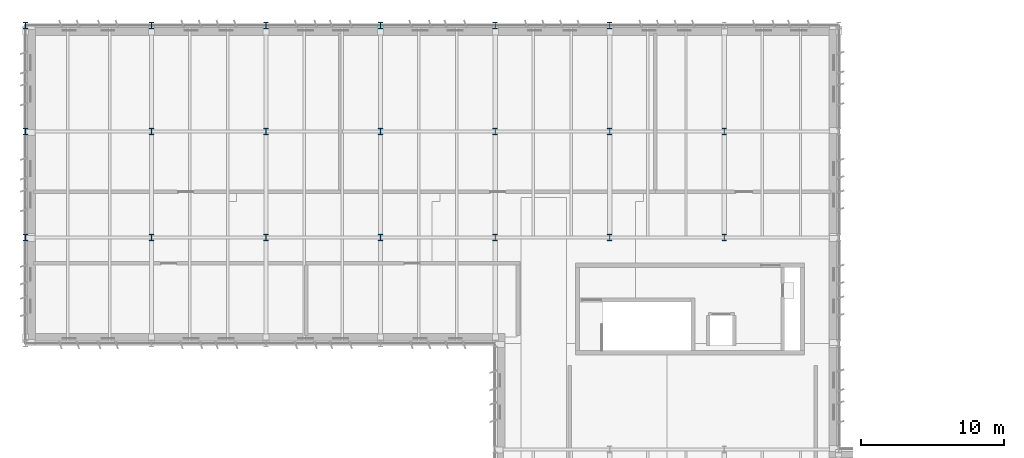
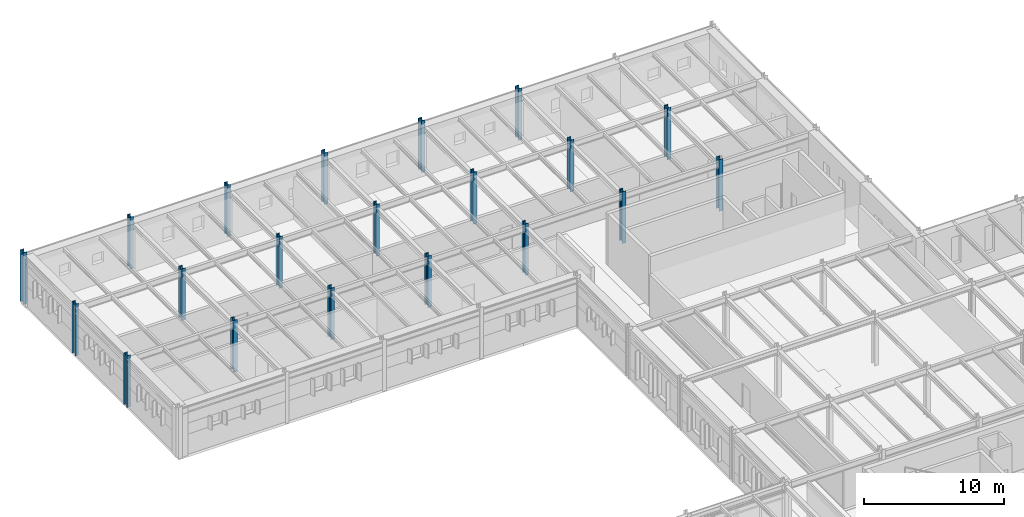
# One storey, part 9 of 75: 20 columns.
"""IFC4 building model written with IfcOpenShell, lengths in metres."""

import ifcopenshell
import ifcopenshell.guid

model = None  # the IFC model being written
_history = None  # IfcOwnerHistory: only IFC2X3 demands one
_inside = {}  # id of a spatial element -> (the spatial element, [elements in it])
_under = {}  # id of a project, library or spatial element -> (it, [spatial elements below it])
_declared = {}  # id of a project -> (the project, [libraries it declares])
_typed = {}  # id of a type object -> (the type object, [elements of that type])
_made_of = {}  # id of a material, layer set ... -> (it, [elements and type objects made of it])


def new_model(schema):
    """Start an empty IFC model of exactly this schema.

    Asked for "IFC4X3", IfcOpenShell would pick the latest addendum, in which some entities
    have other attributes; the version numbers below select the first issue.
    IFC2X3 requires an IfcOwnerHistory on every rooted entity: one is made here for all.
    """
    global model, _history
    if schema == "IFC4X3":
        model = ifcopenshell.file(schema_version=(4, 3, 0, 0))
    else:
        model = ifcopenshell.file(schema=schema)
    _inside.clear()
    _under.clear()
    _declared.clear()
    _typed.clear()
    _made_of.clear()
    _history = None
    if model.schema == "IFC2X3":
        org = make("IfcOrganization", Name="unknown")
        user = make(
            "IfcPersonAndOrganization",
            ThePerson=make("IfcPerson", FamilyName="unknown"),
            TheOrganization=org,
        )
        app = make(
            "IfcApplication",
            ApplicationDeveloper=org,
            Version="unknown",
            ApplicationFullName="unknown",
            ApplicationIdentifier="unknown",
        )
        _history = make(
            "IfcOwnerHistory",
            OwningUser=user,
            OwningApplication=app,
            ChangeAction="ADDED",
            CreationDate=0,
        )
    return model


def make(cls, **values):
    """One entity of the class cls with the attributes given. An attribute that is None is left unset."""
    return model.create_entity(
        cls, **{name: value for name, value in values.items() if value is not None}
    )


def rooted(cls, **values):
    """An entity with a GlobalId (a new one), such as an element, a storey or a relation."""
    return make(cls, GlobalId=ifcopenshell.guid.new(), OwnerHistory=_history, **values)


def si_unit(unit_type, name, prefix=None):
    """IfcSIUnit, for example si_unit("LENGTHUNIT", "METRE", prefix="MILLI")."""
    return make("IfcSIUnit", UnitType=unit_type, Prefix=prefix, Name=name)


def assignment(units):
    """IfcUnitAssignment: the units of a project."""
    return None if units is None else make("IfcUnitAssignment", Units=units)


def point(xyz):
    """IfcCartesianPoint."""
    return None if xyz is None else make("IfcCartesianPoint", Coordinates=xyz)


def direction(xyz):
    """IfcDirection."""
    return None if xyz is None else make("IfcDirection", DirectionRatios=xyz)


def frame(location, z_axis=None, x_axis=None):
    """IfcAxis2Placement3D, a coordinate frame: its origin and axes. An axis left out is left unset."""
    return make(
        "IfcAxis2Placement3D",
        Location=point(location),
        Axis=direction(z_axis),
        RefDirection=direction(x_axis),
    )


def frame_2d(location, x_axis=None):
    """IfcAxis2Placement2D, a coordinate frame in the plane: its origin and x axis."""
    return make(
        "IfcAxis2Placement2D", Location=point(location), RefDirection=direction(x_axis)
    )


def origin():
    """The frame at (0, 0, 0) with its axes left unset."""
    return frame((0.0, 0.0, 0.0))


def origin_2d():
    """The frame at (0, 0) in the plane with its x axis left unset."""
    return frame_2d((0.0, 0.0))


def place(relative_to, where):
    """IfcLocalPlacement: puts the frame where relative to a parent placement (None: the world)."""
    return make(
        "IfcLocalPlacement", PlacementRelTo=relative_to, RelativePlacement=where
    )


def context(
    kind, dimensions, precision=None, world=None, true_north=None, identifier=None
):
    """IfcGeometricRepresentationContext, for example the 3D "Model" context."""
    return make(
        "IfcGeometricRepresentationContext",
        ContextIdentifier=identifier,
        ContextType=kind,
        CoordinateSpaceDimension=dimensions,
        Precision=precision,
        WorldCoordinateSystem=world,
        TrueNorth=true_north,
    )


def subcontext(parent, identifier, kind, view, scale=None):
    """IfcGeometricRepresentationSubContext, for example "Body" below "Model"."""
    return make(
        "IfcGeometricRepresentationSubContext",
        ContextIdentifier=identifier,
        ContextType=kind,
        ParentContext=parent,
        TargetScale=scale,
        TargetView=view,
    )


def project(units=None, contexts=None):
    """IfcProject with its units and contexts."""
    return rooted(
        "IfcProject",
        Name="project",
        RepresentationContexts=contexts,
        UnitsInContext=assignment(units),
    )


def spatial(cls, under=None, at=None, **own):
    """A site, building, storey or space (cls), placed at a placement, below another one or the project."""
    s = rooted(cls, ObjectPlacement=at, **own)
    if under is not None:
        _under.setdefault(under.id(), (under, []))[1].append(s)
    return s


def profile(cls, at=None, kind="AREA", **sizes):
    """A parametric profile (cls). Its sizes go by their IFC names, for example OverallWidth=200.0."""
    return make(cls, ProfileType=kind, Position=at, **sizes)


def i_section(**sizes):
    """IfcIShapeProfileDef."""
    return profile("IfcIShapeProfileDef", **sizes)


def extrude(swept, where, along, depth):
    """IfcExtrudedAreaSolid: the profile swept, set in the frame where, extruded along a direction by depth."""
    return make(
        "IfcExtrudedAreaSolid",
        SweptArea=swept,
        Position=where,
        ExtrudedDirection=direction(along),
        Depth=depth,
    )


def shape(context_of_items, identifier, shape_type, items):
    """IfcShapeRepresentation: the items that make up one representation, for example the "Body"."""
    return make(
        "IfcShapeRepresentation",
        ContextOfItems=context_of_items,
        RepresentationIdentifier=identifier,
        RepresentationType=shape_type,
        Items=items,
    )


def material(Name=None, Category=None):
    """IfcMaterial."""
    return make("IfcMaterial", Name=Name, Category=Category)


def material_profile(
    of_material, cross_section, Name=None, Category=None, Priority=None
):
    """IfcMaterialProfile: a cross section and its material."""
    return make(
        "IfcMaterialProfile",
        Name=Name,
        Material=of_material,
        Profile=cross_section,
        Priority=Priority,
        Category=Category,
    )


def profile_set(profiles, Name=None, composite=None):
    """IfcMaterialProfileSet."""
    return make(
        "IfcMaterialProfileSet",
        Name=Name,
        MaterialProfiles=profiles,
        CompositeProfile=composite,
    )


def made_of(thing, what):
    """Note that an element or type object is made of a material, layer set ...; save() writes the relation."""
    if what is not None:
        _made_of.setdefault(what.id(), (what, []))[1].append(thing)
    return thing


def type_object(cls, material=None, **own):
    """A type object (cls), such as IfcWallType, which elements share."""
    return made_of(rooted(cls, **own), material)


def element(
    cls,
    number,
    at=None,
    inside=None,
    cuts=None,
    type_object=None,
    material=None,
    context=None,
    identifier="Body",
    shape_type=None,
    held_by="IfcProductDefinitionShape",
    body=None,
    shapes=None,
    **own,
):
    """One element of the class cls, such as IfcWall. Its Tag is "e" and its number.

    at: its placement. inside: the storey or other place that contains it. cuts: it is an
    opening in that element (IfcRelVoidsElement). A single representation is given by context,
    identifier, shape_type and body (its items); several are given by shapes. held_by: the class
    of the entity that holds the representations. save() writes the other relations.
    """
    e = rooted(cls, Tag="e%d" % number, ObjectPlacement=at, **own)
    if body is not None:
        shapes = [shape(context, identifier, shape_type, body)]
    if shapes is not None:
        e.Representation = make(held_by, Representations=shapes)
    if inside is not None:
        _inside.setdefault(inside.id(), (inside, []))[1].append(e)
    if cuts is not None:
        rooted(
            "IfcRelVoidsElement", RelatingBuildingElement=cuts, RelatedOpeningElement=e
        )
    if type_object is not None:
        _typed.setdefault(type_object.id(), (type_object, []))[1].append(e)
    return made_of(e, material)


def aggregate(whole, parts):
    """IfcRelAggregates: a whole, such as a stair, and the parts it consists of."""
    return rooted("IfcRelAggregates", RelatingObject=whole, RelatedObjects=parts)


def save(model, path):
    """Write the relations noted so far, then the file.

    IfcRelAggregates (storeys below a building ...), IfcRelContainedInSpatialStructure (elements
    in a storey), IfcRelDefinesByType, IfcRelAssociatesMaterial and IfcRelDeclares: one each for
    every whole, place, type object, material and project.
    """
    for whole, parts in _under.values():
        aggregate(whole, parts)
    for where, things in _inside.values():
        rooted(
            "IfcRelContainedInSpatialStructure",
            RelatedElements=things,
            RelatingStructure=where,
        )
    for kind, things in _typed.values():
        rooted("IfcRelDefinesByType", RelatedObjects=things, RelatingType=kind)
    for what, things in _made_of.values():
        rooted("IfcRelAssociatesMaterial", RelatedObjects=things, RelatingMaterial=what)
    for by, libraries in _declared.values():
        rooted("IfcRelDeclares", RelatingContext=by, RelatedDefinitions=libraries)
    model.write(path)


model = new_model("IFC4")

# Units and contexts
model_context = context("Model", 3, precision=1e-05, world=origin(), true_north=direction((0.0, 1.0)))
body_context = subcontext(model_context, "Body", "Model", "MODEL_VIEW")
ifc_project = project(units=[si_unit("LENGTHUNIT", "METRE"), si_unit("AREAUNIT", "SQUARE_METRE"), si_unit("VOLUMEUNIT", "CUBIC_METRE"), si_unit("PLANEANGLEUNIT", "RADIAN"), si_unit("MASSUNIT", "GRAM", prefix="KILO")], contexts=[model_context])

# Site, building, storey
site_placement = place(None, origin())
site = spatial("IfcSite", under=ifc_project, at=site_placement, CompositionType="ELEMENT")
building_placement = place(site_placement, origin())
building = spatial("IfcBuilding", under=site, at=building_placement, Name="Valkorina Park Police Headquarters", CompositionType="ELEMENT")
storey_placement = place(building_placement, frame((0.0, 0.0, 5.39990234375)))
storey = spatial("IfcBuildingStorey", under=building, at=storey_placement, Name="L02", CompositionType="ELEMENT", Elevation=5.39990234375)

# Columns
ifc_material = material(Name="Steel S355", Category="steel")
ifc_material_profile_1 = material_profile(ifc_material, i_section(OverallWidth=0.300048828125, OverallDepth=0.449951171875, WebThickness=0.013916015625, FlangeThickness=0.02587890625, FilletRadius=0.027099609375, at=origin_2d()), Name="HEB 450")
ifc_profile_set_1 = profile_set([ifc_material_profile_1], Name="Steel S355")
column_type_1 = type_object("IfcColumnType", Name="COL-S355-HEB450-EXT", PredefinedType="COLUMN", material=ifc_profile_set_1)
for number, where, z_axis, x_axis, name in (
    (1, (0.0, 96.199951171875, 0.0), (0.0, 0.0, 1.0), (1.0, 0.0, 0.0), "L02 Column 0503"),
    (2, (0.0, 103.60009765625, 0.0), (0.0, 0.0, 1.0), (1.0, 0.0, 0.0), "L02 Column 0504"),
    (3, (0.0, 111.0, 0.0), (0.0, 0.0, 1.0), (1.0, 0.0, 0.0), "L02 Column 0505"),
    (4, (8.800048828125, 111.0, 0.0), (0.0, 0.0, 1.0), (1.0, 0.0, 0.0), "L02 Column 0518"),
    (5, (16.800048828125, 111.0, 0.0), (0.0, 0.0, 1.0), (1.0, 0.0, 0.0), "L02 Column 0531"),
    (6, (24.800048828125, 111.0, 0.0), (0.0, 0.0, 1.0), (1.0, 0.0, 0.0), "L02 Column 0544"),
    (7, (32.800048828125, 111.0, 0.0), (0.0, 0.0, 1.0), (1.0, 0.0, 0.0), "L02 Column 0557"),
    (8, (40.800048828125, 111.0, 0.0), (0.0, 0.0, 1.0), (1.0, 0.0, 0.0), "L02 Column 0568"),
):
    element("IfcColumn", number, at=place(storey_placement, frame(where, z_axis=z_axis, x_axis=x_axis)), inside=storey, type_object=column_type_1, Name=name, PredefinedType="COLUMN", context=body_context, shape_type="SweptSolid", body=[
        extrude(i_section(OverallWidth=0.300048828125, OverallDepth=0.449951171875, WebThickness=0.013916015625, FlangeThickness=0.02587890625, FilletRadius=0.027099609375, at=origin_2d()), origin(), (0.0, 0.0, 1.0), 4.5),
    ])
ifc_material_profile_2 = material_profile(ifc_material, i_section(OverallWidth=0.300048828125, OverallDepth=0.449951171875, WebThickness=0.013916015625, FlangeThickness=0.02587890625, FilletRadius=0.027099609375, at=origin_2d()), Name="HEB 450")
ifc_profile_set_2 = profile_set([ifc_material_profile_2], Name="Steel S355")
column_type_2 = type_object("IfcColumnType", Name="COL-S355-HEB450-INT", PredefinedType="COLUMN", material=ifc_profile_set_2)
for number, where, z_axis, x_axis, name in (
    (9, (8.800048828125, 96.199951171875, 0.0), (0.0, 0.0, 1.0), (1.0, 0.0, 0.0), "L02 Column 0516"),
    (10, (8.800048828125, 103.60009765625, 0.0), (0.0, 0.0, 1.0), (1.0, 0.0, 0.0), "L02 Column 0517"),
    (11, (16.800048828125, 96.199951171875, 0.0), (0.0, 0.0, 1.0), (1.0, 0.0, 0.0), "L02 Column 0529"),
    (12, (16.800048828125, 103.60009765625, 0.0), (0.0, 0.0, 1.0), (1.0, 0.0, 0.0), "L02 Column 0530"),
    (13, (24.800048828125, 96.199951171875, 0.0), (0.0, 0.0, 1.0), (1.0, 0.0, 0.0), "L02 Column 0542"),
    (14, (24.800048828125, 103.60009765625, 0.0), (0.0, 0.0, 1.0), (1.0, 0.0, 0.0), "L02 Column 0543"),
    (15, (32.800048828125, 96.199951171875, 0.0), (0.0, 0.0, 1.0), (1.0, 0.0, 0.0), "L02 Column 0555"),
    (16, (32.800048828125, 103.60009765625, 0.0), (0.0, 0.0, 1.0), (1.0, 0.0, 0.0), "L02 Column 0556"),
    (17, (40.800048828125, 96.199951171875, 0.0), (0.0, 0.0, 1.0), (1.0, 0.0, 0.0), "L02 Column 0566"),
    (18, (40.800048828125, 103.60009765625, 0.0), (0.0, 0.0, 1.0), (1.0, 0.0, 0.0), "L02 Column 0567"),
    (19, (48.800048828125, 96.199951171875, 0.0), (0.0, 0.0, 1.0), (1.0, 0.0, 0.0), "L02 Column 0577"),
    (20, (48.800048828125, 103.60009765625, 0.0), (0.0, 0.0, 1.0), (1.0, 0.0, 0.0), "L02 Column 0578"),
):
    element("IfcColumn", number, at=place(storey_placement, frame(where, z_axis=z_axis, x_axis=x_axis)), inside=storey, type_object=column_type_2, Name=name, PredefinedType="COLUMN", context=body_context, shape_type="SweptSolid", body=[
        extrude(i_section(OverallWidth=0.300048828125, OverallDepth=0.449951171875, WebThickness=0.013916015625, FlangeThickness=0.02587890625, FilletRadius=0.027099609375, at=origin_2d()), origin(), (0.0, 0.0, 1.0), 4.5),
    ])

save(model, "model.ifc")
